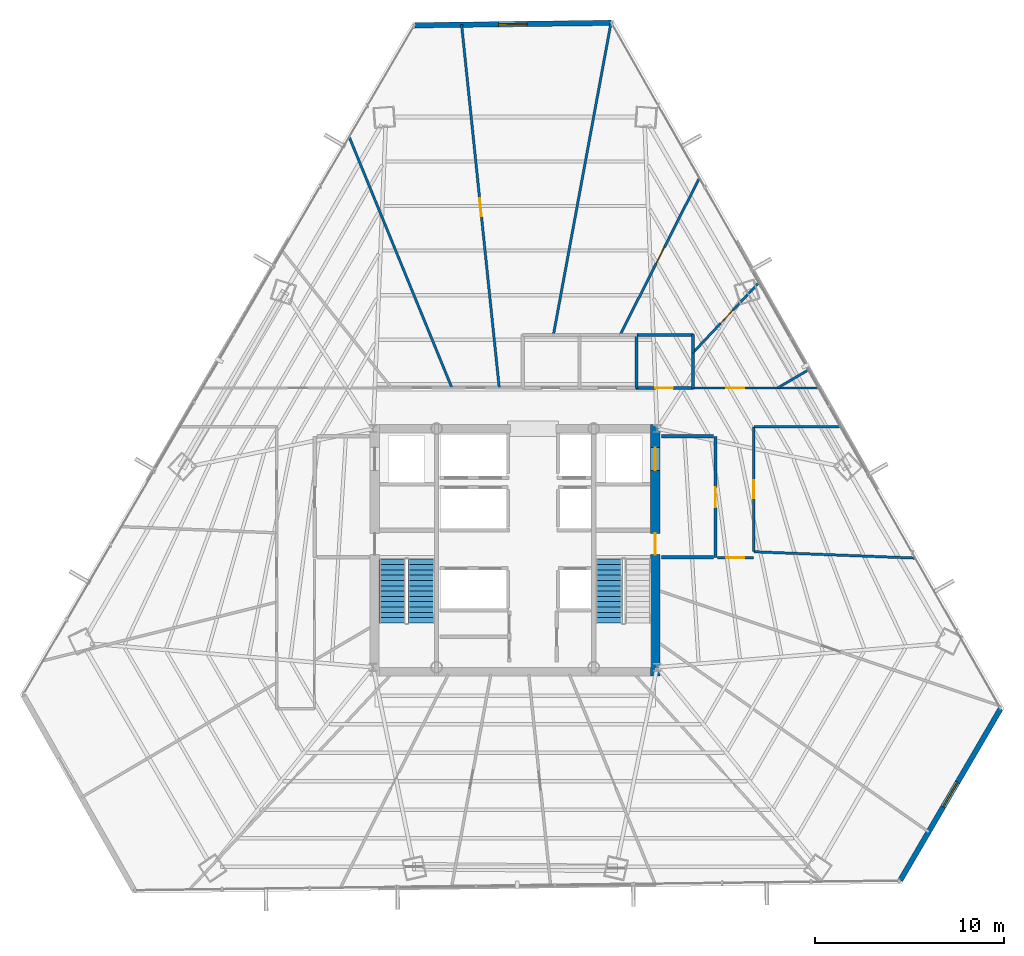
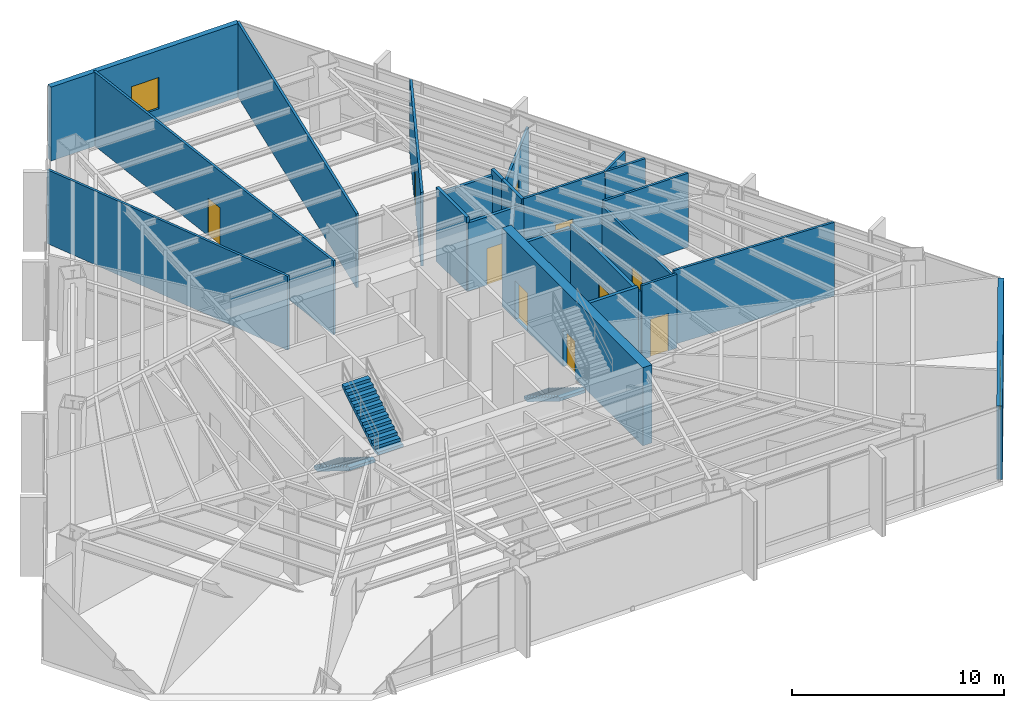
# One storey, part 33 of 37: 23 walls, 10 doors, 3 stair flights, 2 windows, 12 openings, 2 elements without a shape of their own.
"""IFC4 building model written with IfcOpenShell, lengths in metres."""

from ifc_helpers import new_model, si_unit, direction, frame, frame_2d, origin, place, context, subcontext, project, spatial, polyline, rectangle, outline, extrude, material, layer, layer_set, type_object, element, fill, aggregate, save


model = new_model("IFC4")

# Units and contexts
model_context = context("Model", 3, precision=1e-05, world=origin(), true_north=direction((0.0, 1.0)))
body_context = subcontext(model_context, "Body", "Model", "MODEL_VIEW")
ifc_project = project(units=[si_unit("LENGTHUNIT", "METRE"), si_unit("AREAUNIT", "SQUARE_METRE"), si_unit("VOLUMEUNIT", "CUBIC_METRE"), si_unit("PLANEANGLEUNIT", "RADIAN"), si_unit("MASSUNIT", "GRAM", prefix="KILO")], contexts=[model_context])

# Site, building, storey
site_placement = place(None, origin())
site = spatial("IfcSite", under=ifc_project, at=site_placement, CompositionType="ELEMENT")
building_placement = place(site_placement, origin())
building = spatial("IfcBuilding", under=site, at=building_placement, Name="Caelisora Broadcast Tower", CompositionType="ELEMENT")
storey_placement = place(building_placement, frame((0.0, 0.0, 127.300048828125)))
storey = spatial("IfcBuildingStorey", under=building, at=storey_placement, Name="L33", CompositionType="ELEMENT", Elevation=127.300048828125)

# Wall, openings, doors
ifc_material_1 = material(Name="Concrete 50 MPa (AS 3600 S50)", Category="concrete")
ifc_layer_1 = layer(ifc_material_1, 0.5, Name="Concrete 50 MPa (AS 3600 S50)")
ifc_layer_set_1 = layer_set([ifc_layer_1], Name="Concrete 50 MPa (AS 3600 S50)")
wall_type_1 = type_object("IfcWallType", Name="CW2", PredefinedType="SHEAR", material=ifc_layer_set_1)
wall_1_placement = place(storey_placement, frame((45.409912109375, 16.949951171875, 0.0), z_axis=(0.0, 0.0, 1.0), x_axis=(0.0, 1.0, 0.0)))
wall_1 = element("IfcWall", 1, at=wall_1_placement, inside=storey, type_object=wall_type_1, Name="L33 core shear wall CW2", PredefinedType="SHEAR", context=body_context, shape_type="SweptSolid", body=[
    extrude(rectangle(XDim=13.275146484375, YDim=0.5, at=frame_2d((6.6376953125, 0.0))), origin(), (0.0, 0.0, 1.0), 4.5),
])
opening_1_placement = place(wall_1_placement, frame((6.39990234375, 0.0, 0.0)))
opening_1 = element("IfcOpeningElement", 2, at=opening_1_placement, cuts=wall_1, Name="Opening FD04", PredefinedType="OPENING", context=body_context, shape_type="SweptSolid", body=[
    extrude(rectangle(XDim=1.1201171875, YDim=2.14990234375, at=frame_2d((0.56005859375, 1.074951171875))), frame((0.0, 0.261962890625, 0.0), z_axis=(0.0, -1.0, 0.0), x_axis=(1.0, 0.0, 0.0)), (0.0, 0.0, 1.0), 0.52392578125),
])
opening_2_placement = place(wall_1_placement, frame((10.85009765625, 0.0, 0.0)))
opening_2 = element("IfcOpeningElement", 3, at=opening_2_placement, cuts=wall_1, Name="Opening LD04", PredefinedType="OPENING", context=body_context, shape_type="SweptSolid", body=[
    extrude(rectangle(XDim=1.199951171875, YDim=2.199951171875, at=frame_2d((0.60009765625, 1.10009765625))), frame((0.0, 0.261962890625, 0.0), z_axis=(0.0, -1.0, 0.0), x_axis=(1.0, 0.0, 0.0)), (0.0, 0.0, 1.0), 0.52392578125),
])
ifc_material_2 = material(Name="Pressurised Fire-Isolated Stair Door", Category="steel")
door_type_1 = type_object("IfcDoorType", Name="FD04", OperationType="NOTDEFINED", PredefinedType="DOOR", material=ifc_material_2)
door_1_placement = place(opening_1_placement, origin())
door_1 = element("IfcDoor", 4, at=door_1_placement, inside=storey, type_object=door_type_1, Name="L33 door FD04 (L33-DR-ST2)", OperationType="SINGLE_SWING_RIGHT", OverallHeight=2.14990234375, OverallWidth=1.1201171875, PredefinedType="DOOR", context=body_context, shape_type="SweptSolid", body=[
    extrude(rectangle(XDim=1.1201171875, YDim=2.14990234375, at=frame_2d((0.56005859375, 1.074951171875))), frame((0.0, 0.02490234375, 0.0), z_axis=(0.0, -1.0, 0.0), x_axis=(1.0, 0.0, 0.0)), (0.0, 0.0, 1.0), 0.050048828125),
])
fill(opening_1, door_1)
ifc_material_3 = material(Name="Emergency Firefighting Lift Sliding Landing Door", Category="steel")
door_type_2 = type_object("IfcDoorType", Name="LD04", OperationType="NOTDEFINED", PredefinedType="DOOR", material=ifc_material_3)
door_2_placement = place(opening_2_placement, origin())
door_2 = element("IfcDoor", 5, at=door_2_placement, inside=storey, type_object=door_type_2, Name="L33 door LD04 (L33-LD-FFL2)", OperationType="SLIDING_TO_RIGHT", OverallHeight=2.199951171875, OverallWidth=1.199951171875, PredefinedType="DOOR", context=body_context, shape_type="SweptSolid", body=[
    extrude(rectangle(XDim=1.199951171875, YDim=2.199951171875, at=frame_2d((0.60009765625, 1.10009765625))), frame((0.0, 0.02490234375, 0.0), z_axis=(0.0, -1.0, 0.0), x_axis=(1.0, 0.0, 0.0)), (0.0, 0.0, 1.0), 0.050048828125),
])
fill(opening_2, door_2)

# Wall, opening, window
ifc_material_4 = material(Name="Insulated Terracotta Spandrel Wall System", Category="masonry")
ifc_layer_2 = layer(ifc_material_4, 0.280029296875, Name="Insulated Terracotta Spandrel Wall System")
ifc_layer_set_2 = layer_set([ifc_layer_2], Name="Insulated Terracotta Spandrel Wall System")
wall_type_2 = type_object("IfcWallType", Name="EW1", PredefinedType="STANDARD", material=ifc_layer_set_2)
wall_2_placement = place(storey_placement, frame((63.630859375, 15.197998046875, 0.0), z_axis=(0.0, 0.0, 1.0), x_axis=(-0.504625285798, -0.863338474142, 0.0)))
wall_2 = element("IfcWall", 6, at=wall_2_placement, inside=storey, type_object=wall_type_2, Name="L33 exterior envelope wall EW1", PredefinedType="STANDARD", context=body_context, shape_type="SweptSolid", body=[
    extrude(rectangle(XDim=10.482666015625, YDim=0.280029296875, at=frame_2d((5.2412109375, 0.0))), origin(), (0.0, 0.0, 1.0), 4.25),
])
opening_3_placement = place(wall_2_placement, frame((4.489990234375, 0.0, 0.89990234375)))
opening_3 = element("IfcOpeningElement", 7, at=opening_3_placement, cuts=wall_2, Name="Opening W02", PredefinedType="OPENING", context=body_context, shape_type="SweptSolid", body=[
    extrude(rectangle(XDim=1.5, YDim=1.800048828125, at=frame_2d((0.75, 0.89990234375))), frame((0.0, 0.152099609375, 0.0), z_axis=(0.0, -1.0, 0.0), x_axis=(1.0, 0.0, 0.0)), (0.0, 0.0, 1.0), 0.303955078125),
])
ifc_material_5 = material(Name="Double Glazed Terracotta-Framed Vision Window", Category="glass")
window_type = type_object("IfcWindowType", Name="W02", PartitioningType="SINGLE_PANEL", PredefinedType="WINDOW", material=ifc_material_5)
window_1_placement = place(opening_3_placement, origin())
window_1 = element("IfcWindow", 8, at=window_1_placement, inside=storey, type_object=window_type, Name="L33 window W02 (L33-WN-CH0)", OverallHeight=1.800048828125, OverallWidth=1.5, PartitioningType="SINGLE_PANEL", PredefinedType="WINDOW", context=body_context, shape_type="SweptSolid", body=[
    extrude(rectangle(XDim=1.5, YDim=1.800048828125, at=frame_2d((0.75, 0.89990234375))), frame((0.0, 0.030029296875, 0.0), z_axis=(0.0, -1.0, 0.0), x_axis=(1.0, 0.0, 0.0)), (0.0, 0.0, 1.0), 0.06005859375),
])
fill(opening_3, window_1)

wall_3_placement = place(storey_placement, frame((32.7109375, 51.305419921875, 0.0), z_axis=(0.0, 0.0, 1.0), x_axis=(0.999920945235, 0.012573912703, 0.0)))
wall_3 = element("IfcWall", 9, at=wall_3_placement, inside=storey, type_object=wall_type_2, Name="L33 exterior envelope wall EW1", PredefinedType="STANDARD", context=body_context, shape_type="SweptSolid", body=[
    extrude(rectangle(XDim=10.348876953125, YDim=0.280029296875, at=frame_2d((5.17431640625, 0.0))), origin(), (0.0, 0.0, 1.0), 4.25),
])
opening_4_placement = place(wall_3_placement, frame((4.419921875, 0.0, 0.89990234375)))
opening_4 = element("IfcOpeningElement", 10, at=opening_4_placement, cuts=wall_3, Name="Opening W02", PredefinedType="OPENING", context=body_context, shape_type="SweptSolid", body=[
    extrude(rectangle(XDim=1.5, YDim=1.800048828125, at=frame_2d((0.75, 0.89990234375))), frame((0.0, 0.152099609375, 0.0), z_axis=(0.0, -1.0, 0.0), x_axis=(1.0, 0.0, 0.0)), (0.0, 0.0, 1.0), 0.303955078125),
])
window_2_placement = place(opening_4_placement, origin())
window_2 = element("IfcWindow", 11, at=window_2_placement, inside=storey, type_object=window_type, Name="L33 window W02 (L33-WN-CH8)", OverallHeight=1.800048828125, OverallWidth=1.5, PartitioningType="SINGLE_PANEL", PredefinedType="WINDOW", context=body_context, shape_type="SweptSolid", body=[
    extrude(rectangle(XDim=1.5, YDim=1.800048828125, at=frame_2d((0.75, 0.89990234375))), frame((0.0, 0.030029296875, 0.0), z_axis=(0.0, -1.0, 0.0), x_axis=(1.0, 0.0, 0.0)), (0.0, 0.0, 1.0), 0.06005859375),
])
fill(opening_4, window_2)

# Wall, opening, door
ifc_material_6 = material(Name="Fire-Rated Gypsum Shaft and Compartment Wall", Category="gypsum")
ifc_layer_3 = layer(ifc_material_6, 0.179931640625, Name="Fire-Rated Gypsum Shaft and Compartment Wall")
ifc_layer_set_3 = layer_set([ifc_layer_3], Name="Fire-Rated Gypsum Shaft and Compartment Wall")
wall_type_3 = type_object("IfcWallType", Name="PW2", PredefinedType="PARTITIONING", material=ifc_layer_set_3)
wall_4_placement = place(storey_placement, frame((48.580078125, 23.199951171875, 0.0), z_axis=(0.0, 0.0, 1.0), x_axis=(0.0, 1.0, 0.0)))
wall_4 = element("IfcWall", 12, at=wall_4_placement, inside=storey, type_object=wall_type_3, Name="L33 fire compartment wall PW2", PredefinedType="PARTITIONING", context=body_context, shape_type="SweptSolid", body=[
    extrude(rectangle(XDim=6.400146484375, YDim=0.179931640625, at=frame_2d((3.2001953125, 0.0))), origin(), (0.0, 0.0, 1.0), 3.927734375),
])
opening_5_placement = place(wall_4_placement, frame((2.64990234375, 0.0, 0.0)))
opening_5 = element("IfcOpeningElement", 13, at=opening_5_placement, cuts=wall_4, Name="Opening FD02", PredefinedType="OPENING", context=body_context, shape_type="SweptSolid", body=[
    extrude(rectangle(XDim=1.050048828125, YDim=2.14990234375, at=frame_2d((0.52490234375, 1.074951171875))), frame((0.0, 0.10205078125, 0.0), z_axis=(0.0, -1.0, 0.0), x_axis=(1.0, 0.0, 0.0)), (0.0, 0.0, 1.0), 0.203857421875),
])
ifc_material_7 = material(Name="Single-Leaf Steel Fire Lobby Door", Category="steel")
door_type_3 = type_object("IfcDoorType", Name="FD02", OperationType="NOTDEFINED", PredefinedType="DOOR", material=ifc_material_7)
door_3_placement = place(opening_5_placement, origin())
door_3 = element("IfcDoor", 14, at=door_3_placement, inside=storey, type_object=door_type_3, Name="L33 door FD02 (L33-DR-P04D1)", OperationType="SINGLE_SWING_RIGHT", OverallHeight=2.14990234375, OverallWidth=1.050048828125, PredefinedType="DOOR", context=body_context, shape_type="SweptSolid", body=[
    extrude(rectangle(XDim=1.050048828125, YDim=2.14990234375, at=frame_2d((0.52490234375, 1.074951171875))), frame((0.0, 0.02490234375, 0.0), z_axis=(0.0, -1.0, 0.0), x_axis=(1.0, 0.0, 0.0)), (0.0, 0.0, 1.0), 0.050048828125),
])
fill(opening_5, door_3)

# Walls
wall_5_placement = place(storey_placement, frame((45.719970703125, 23.199951171875, 0.0), z_axis=(0.0, 0.0, 1.0), x_axis=(1.0, 0.0, 0.0)))
element("IfcWall", 15, at=wall_5_placement, inside=storey, type_object=wall_type_3, Name="L33 fire compartment wall PW2", PredefinedType="PARTITIONING", context=body_context, shape_type="SweptSolid", body=[
    extrude(rectangle(XDim=2.760009765625, YDim=0.179931640625, at=frame_2d((1.3798828125, 0.0))), origin(), (0.0, 0.0, 1.0), 4.25),
])
wall_6_placement = place(storey_placement, frame((45.719970703125, 29.60009765625, 0.0), z_axis=(0.0, 0.0, 1.0), x_axis=(1.0, 0.0, 0.0)))
element("IfcWall", 16, at=wall_6_placement, inside=storey, type_object=wall_type_3, Name="L33 fire compartment wall PW2", PredefinedType="PARTITIONING", context=body_context, shape_type="SweptSolid", body=[
    extrude(rectangle(XDim=2.760009765625, YDim=0.179931640625, at=frame_2d((1.3798828125, 0.0))), origin(), (0.0, 0.0, 1.0), 3.774658203125),
])

# Wall, opening, door
ifc_material_8 = material(Name="Acoustic Steel-Stud Plasterboard Partition", Category="gypsum")
ifc_layer_4 = layer(ifc_material_8, 0.1298828125, Name="Acoustic Steel-Stud Plasterboard Partition")
ifc_layer_set_4 = layer_set([ifc_layer_4], Name="Acoustic Steel-Stud Plasterboard Partition")
wall_type_4 = type_object("IfcWallType", Name="PW3", PredefinedType="PARTITIONING", material=ifc_layer_set_4)
wall_7_placement = place(storey_placement, frame((35.170166015625, 51.34130859375, 0.0), z_axis=(0.0, 0.0, 1.0), x_axis=(0.103103402085, -0.994670643217, 0.0)))
wall_7 = element("IfcWall", 17, at=wall_7_placement, inside=storey, type_object=wall_type_4, Name="L33 internal partition PW3", PredefinedType="PARTITIONING", context=body_context, shape_type="SweptSolid", body=[
    extrude(rectangle(XDim=19.2890625, YDim=0.1298828125, at=frame_2d((9.64453125, 0.0))), origin(), (0.0, 0.0, 1.0), 4.25),
])
opening_6_placement = place(wall_7_placement, frame((9.214111328125, 0.0, 0.0)))
opening_6 = element("IfcOpeningElement", 18, at=opening_6_placement, cuts=wall_7, Name="Opening D01", PredefinedType="OPENING", context=body_context, shape_type="SweptSolid", body=[
    extrude(rectangle(XDim=0.9599609375, YDim=2.14990234375, at=frame_2d((0.47998046875, 1.074951171875))), frame((0.0, 0.076904296875, 0.0), z_axis=(0.0, -1.0, 0.0), x_axis=(1.0, 0.0, 0.0)), (0.0, 0.0, 1.0), 0.15380859375),
])
ifc_material_9 = material(Name="Solid-Core Timber Acoustic Office Door", Category="wood")
door_type_4 = type_object("IfcDoorType", Name="D01", OperationType="NOTDEFINED", PredefinedType="DOOR", material=ifc_material_9)
door_4_placement = place(opening_6_placement, origin())
door_4 = element("IfcDoor", 19, at=door_4_placement, inside=storey, type_object=door_type_4, Name="L33 door D01 (L33-DR-P27D1)", OperationType="SINGLE_SWING_LEFT", OverallHeight=2.14990234375, OverallWidth=0.9599609375, PredefinedType="DOOR", context=body_context, shape_type="SweptSolid", body=[
    extrude(rectangle(XDim=0.9599609375, YDim=2.14990234375, at=frame_2d((0.47998046875, 1.074951171875))), frame((0.0, 0.02490234375, 0.0), z_axis=(0.0, -1.0, 0.0), x_axis=(1.0, 0.0, 0.0)), (0.0, 0.0, 1.0), 0.050048828125),
])
fill(opening_6, door_4)

# Walls
wall_8_placement = place(storey_placement, frame((40.02099609375, 34.955078125, 0.0), z_axis=(0.0, 0.0, 1.0), x_axis=(0.181390390279, 0.983411168492, 0.0)))
element("IfcWall", 20, at=wall_8_placement, inside=storey, type_object=wall_type_4, Name="L33 internal partition PW3", PredefinedType="PARTITIONING", context=body_context, shape_type="SweptSolid", body=[
    extrude(rectangle(XDim=16.763671875, YDim=0.1298828125, at=frame_2d((8.3818359375, 0.0))), origin(), (0.0, 0.0, 1.0), 4.25),
])
wall_9_placement = place(storey_placement, frame((29.23291015625, 45.414794921875, 0.0), z_axis=(0.0, 0.0, 1.0), x_axis=(0.378668676837, -0.925532297212, 0.0)))
element("IfcWall", 21, at=wall_9_placement, inside=storey, type_object=wall_type_4, Name="L33 internal partition PW3", PredefinedType="PARTITIONING", context=body_context, shape_type="SweptSolid", body=[
    extrude(rectangle(XDim=14.32666015625, YDim=0.1298828125, at=frame_2d((7.163330078125, 0.0))), origin(), (0.0, 0.0, 1.0), 4.25),
])

# Wall, opening, door
wall_10_placement = place(storey_placement, frame((43.5419921875, 34.9541015625, 0.0), z_axis=(0.0, 0.0, 1.0), x_axis=(0.451040991856, 0.89250323454, 0.0)))
wall_10 = element("IfcWall", 22, at=wall_10_placement, inside=storey, type_object=wall_type_4, Name="L33 internal partition PW3", PredefinedType="PARTITIONING", context=body_context, shape_type="SweptSolid", body=[
    extrude(rectangle(XDim=9.302978515625, YDim=0.1298828125, at=frame_2d((4.6513671875, 0.0))), origin(), (0.0, 0.0, 1.0), 4.25),
])
opening_7_placement = place(wall_10_placement, frame((4.22900390625, 0.0, 0.0)))
opening_7 = element("IfcOpeningElement", 23, at=opening_7_placement, cuts=wall_10, Name="Opening D01", PredefinedType="OPENING", context=body_context, shape_type="SweptSolid", body=[
    extrude(rectangle(XDim=0.9599609375, YDim=2.14990234375, at=frame_2d((0.47998046875, 1.074951171875))), frame((0.0, 0.076904296875, 0.0), z_axis=(0.0, -1.0, 0.0), x_axis=(1.0, 0.0, 0.0)), (0.0, 0.0, 1.0), 0.15380859375),
])
door_5_placement = place(opening_7_placement, origin())
door_5 = element("IfcDoor", 24, at=door_5_placement, inside=storey, type_object=door_type_4, Name="L33 door D01 (L33-DR-P42D1)", OperationType="SINGLE_SWING_RIGHT", OverallHeight=2.14990234375, OverallWidth=0.9599609375, PredefinedType="DOOR", context=body_context, shape_type="SweptSolid", body=[
    extrude(rectangle(XDim=0.9599609375, YDim=2.14990234375, at=frame_2d((0.47998046875, 1.074951171875))), frame((0.0, 0.02490234375, 0.0), z_axis=(0.0, -1.0, 0.0), x_axis=(1.0, 0.0, 0.0)), (0.0, 0.0, 1.0), 0.050048828125),
])
fill(opening_7, door_5)

# Wall
wall_11_placement = place(storey_placement, frame((50.60498046875, 23.5, 0.0), z_axis=(0.0, 0.0, 1.0), x_axis=(0.999229272457, -0.03925380319, 0.0)))
element("IfcWall", 25, at=wall_11_placement, inside=storey, type_object=wall_type_4, Name="L33 internal partition PW3", PredefinedType="PARTITIONING", context=body_context, shape_type="SweptSolid", body=[
    extrude(rectangle(XDim=8.545654296875, YDim=0.1298828125, at=frame_2d((4.27294921875, 0.0))), origin(), (0.0, 0.0, 1.0), 4.25),
])

# Wall, opening, door
wall_12_placement = place(storey_placement, frame((50.60009765625, 23.5048828125, 0.0), z_axis=(0.0, 0.0, 1.0), x_axis=(0.0, 1.0, 0.0)))
wall_12 = element("IfcWall", 26, at=wall_12_placement, inside=storey, type_object=wall_type_4, Name="L33 internal partition PW3", PredefinedType="PARTITIONING", context=body_context, shape_type="SweptSolid", body=[
    extrude(rectangle(XDim=6.590087890625, YDim=0.1298828125, at=frame_2d((3.294921875, 0.0))), origin(), (0.0, 0.0, 1.0), 3.927734375),
])
opening_8_placement = place(wall_12_placement, frame((2.81494140625, 0.0, 0.0)))
opening_8 = element("IfcOpeningElement", 27, at=opening_8_placement, cuts=wall_12, Name="Opening D01", PredefinedType="OPENING", context=body_context, shape_type="SweptSolid", body=[
    extrude(rectangle(XDim=0.9599609375, YDim=2.14990234375, at=frame_2d((0.47998046875, 1.074951171875))), frame((0.0, 0.076904296875, 0.0), z_axis=(0.0, -1.0, 0.0), x_axis=(1.0, 0.0, 0.0)), (0.0, 0.0, 1.0), 0.15380859375),
])
door_6_placement = place(opening_8_placement, origin())
door_6 = element("IfcDoor", 28, at=door_6_placement, inside=storey, type_object=door_type_4, Name="L33 door D01 (L33-DR-P47D1)", OperationType="SINGLE_SWING_LEFT", OverallHeight=2.14990234375, OverallWidth=0.9599609375, PredefinedType="DOOR", context=body_context, shape_type="SweptSolid", body=[
    extrude(rectangle(XDim=0.9599609375, YDim=2.14990234375, at=frame_2d((0.47998046875, 1.074951171875))), frame((0.0, 0.02490234375, 0.0), z_axis=(0.0, -1.0, 0.0), x_axis=(1.0, 0.0, 0.0)), (0.0, 0.0, 1.0), 0.050048828125),
])
fill(opening_8, door_6)

wall_13_placement = place(storey_placement, frame((47.403076171875, 34.02392578125, 0.0), z_axis=(0.0, 0.0, 1.0), x_axis=(0.684663849491, 0.728858980325, 0.0)))
wall_13 = element("IfcWall", 29, at=wall_13_placement, inside=storey, type_object=wall_type_4, Name="L33 internal partition PW3", PredefinedType="PARTITIONING", context=body_context, shape_type="SweptSolid", body=[
    extrude(rectangle(XDim=5.07666015625, YDim=0.1298828125, at=frame_2d((2.538330078125, 0.0))), origin(), (0.0, 0.0, 1.0), 3.774658203125),
])
opening_9_placement = place(wall_13_placement, frame((2.110107421875, 0.0, 0.0)))
opening_9 = element("IfcOpeningElement", 30, at=opening_9_placement, cuts=wall_13, Name="Opening D01", PredefinedType="OPENING", context=body_context, shape_type="SweptSolid", body=[
    extrude(rectangle(XDim=0.9599609375, YDim=2.14990234375, at=frame_2d((0.47998046875, 1.074951171875))), frame((0.0, 0.076904296875, 0.0), z_axis=(0.0, -1.0, 0.0), x_axis=(1.0, 0.0, 0.0)), (0.0, 0.0, 1.0), 0.15380859375),
])
door_7_placement = place(opening_9_placement, origin())
door_7 = element("IfcDoor", 31, at=door_7_placement, inside=storey, type_object=door_type_4, Name="L33 door D01 (L33-DR-P51D1)", OperationType="SINGLE_SWING_RIGHT", OverallHeight=2.14990234375, OverallWidth=0.9599609375, PredefinedType="DOOR", context=body_context, shape_type="SweptSolid", body=[
    extrude(rectangle(XDim=0.9599609375, YDim=2.14990234375, at=frame_2d((0.47998046875, 1.074951171875))), frame((0.0, 0.02490234375, 0.0), z_axis=(0.0, -1.0, 0.0), x_axis=(1.0, 0.0, 0.0)), (0.0, 0.0, 1.0), 0.050048828125),
])
fill(opening_9, door_7)

# Wall
wall_14_placement = place(storey_placement, frame((50.60498046875, 30.10009765625, 0.0), z_axis=(0.0, 0.0, 1.0), x_axis=(1.0, 0.0, 0.0)))
element("IfcWall", 32, at=wall_14_placement, inside=storey, type_object=wall_type_4, Name="L33 internal partition PW3", PredefinedType="PARTITIONING", context=body_context, shape_type="SweptSolid", body=[
    extrude(rectangle(XDim=4.601806640625, YDim=0.1298828125, at=frame_2d((2.30078125, 0.0))), origin(), (0.0, 0.0, 1.0), 4.25),
])

# Wall, opening, door
wall_15_placement = place(storey_placement, frame((47.405029296875, 32.14990234375, 0.0), z_axis=(0.0, 0.0, 1.0), x_axis=(1.0, 0.0, 0.0)))
wall_15 = element("IfcWall", 33, at=wall_15_placement, inside=storey, type_object=wall_type_4, Name="L33 internal partition PW3", PredefinedType="PARTITIONING", context=body_context, shape_type="SweptSolid", body=[
    extrude(rectangle(XDim=4.449951171875, YDim=0.1298828125, at=frame_2d((2.22509765625, 0.0))), origin(), (0.0, 0.0, 1.0), 4.25),
])
opening_10_placement = place(wall_15_placement, frame((1.7451171875, 0.0, 0.0)))
opening_10 = element("IfcOpeningElement", 34, at=opening_10_placement, cuts=wall_15, Name="Opening D01", PredefinedType="OPENING", context=body_context, shape_type="SweptSolid", body=[
    extrude(rectangle(XDim=0.9599609375, YDim=2.14990234375, at=frame_2d((0.47998046875, 1.074951171875))), frame((0.0, 0.076904296875, 0.0), z_axis=(0.0, -1.0, 0.0), x_axis=(1.0, 0.0, 0.0)), (0.0, 0.0, 1.0), 0.15380859375),
])
door_8_placement = place(opening_10_placement, origin())
door_8 = element("IfcDoor", 35, at=door_8_placement, inside=storey, type_object=door_type_4, Name="L33 door D01 (L33-DR-P53D1)", OperationType="SINGLE_SWING_LEFT", OverallHeight=2.14990234375, OverallWidth=0.9599609375, PredefinedType="DOOR", context=body_context, shape_type="SweptSolid", body=[
    extrude(rectangle(XDim=0.9599609375, YDim=2.14990234375, at=frame_2d((0.47998046875, 1.074951171875))), frame((0.0, 0.02490234375, 0.0), z_axis=(0.0, -1.0, 0.0), x_axis=(1.0, 0.0, 0.0)), (0.0, 0.0, 1.0), 0.050048828125),
])
fill(opening_10, door_8)

# Wall
wall_16_placement = place(storey_placement, frame((51.864990234375, 32.14990234375, 0.0), z_axis=(0.0, 0.0, 1.0), x_axis=(1.0, 0.0, 0.0)))
element("IfcWall", 36, at=wall_16_placement, inside=storey, type_object=wall_type_4, Name="L33 internal partition PW3", PredefinedType="PARTITIONING", context=body_context, shape_type="SweptSolid", body=[
    extrude(rectangle(XDim=2.17822265625, YDim=0.1298828125, at=frame_2d((1.089111328125, 0.0))), origin(), (0.0, 0.0, 1.0), 4.25),
])

# Wall, opening, door
wall_17_placement = place(storey_placement, frame((48.675048828125, 23.179931640625, 0.0), z_axis=(0.0, 0.0, 1.0), x_axis=(1.0, 0.0, 0.0)))
wall_17 = element("IfcWall", 37, at=wall_17_placement, inside=storey, type_object=wall_type_4, Name="L33 internal partition PW3", PredefinedType="PARTITIONING", context=body_context, shape_type="SweptSolid", body=[
    extrude(rectangle(XDim=1.905029296875, YDim=0.1298828125, at=frame_2d((0.95263671875, 0.0))), origin(), (0.0, 0.0, 1.0), 4.25),
])
opening_11_placement = place(wall_17_placement, frame((0.472900390625, 0.0, 0.0)))
opening_11 = element("IfcOpeningElement", 38, at=opening_11_placement, cuts=wall_17, Name="Opening D01", PredefinedType="OPENING", context=body_context, shape_type="SweptSolid", body=[
    extrude(rectangle(XDim=0.9599609375, YDim=2.14990234375, at=frame_2d((0.47998046875, 1.074951171875))), frame((0.0, 0.076904296875, 0.0), z_axis=(0.0, -1.0, 0.0), x_axis=(1.0, 0.0, 0.0)), (0.0, 0.0, 1.0), 0.15380859375),
])
door_9_placement = place(opening_11_placement, origin())
door_9 = element("IfcDoor", 39, at=door_9_placement, inside=storey, type_object=door_type_4, Name="L33 door D01 (L33-DR-P61D1)", OperationType="SINGLE_SWING_LEFT", OverallHeight=2.14990234375, OverallWidth=0.9599609375, PredefinedType="DOOR", context=body_context, shape_type="SweptSolid", body=[
    extrude(rectangle(XDim=0.9599609375, YDim=2.14990234375, at=frame_2d((0.47998046875, 1.074951171875))), frame((0.0, 0.02490234375, 0.0), z_axis=(0.0, -1.0, 0.0), x_axis=(1.0, 0.0, 0.0)), (0.0, 0.0, 1.0), 0.050048828125),
])
fill(opening_11, door_9)

# Wall
wall_18_placement = place(storey_placement, frame((51.864013671875, 32.153076171875, 0.0), z_axis=(0.0, 0.0, 1.0), x_axis=(0.862457378859, 0.506129696473, 0.0)))
element("IfcWall", 40, at=wall_18_placement, inside=storey, type_object=wall_type_4, Name="L33 internal partition PW3", PredefinedType="PARTITIONING", context=body_context, shape_type="SweptSolid", body=[
    extrude(rectangle(XDim=1.893798828125, YDim=0.1298828125, at=frame_2d((0.94677734375, 0.0))), origin(), (0.0, 0.0, 1.0), 4.25),
])

# Wall, opening, door
ifc_material_10 = material(Name="Moisture-Resistant Wet Plumbing Service Wall", Category="gypsum")
ifc_layer_5 = layer(ifc_material_10, 0.159912109375, Name="Moisture-Resistant Wet Plumbing Service Wall")
ifc_layer_set_5 = layer_set([ifc_layer_5], Name="Moisture-Resistant Wet Plumbing Service Wall")
wall_type_5 = type_object("IfcWallType", Name="PW4", PredefinedType="PLUMBINGWALL", material=ifc_layer_set_5)
wall_19_placement = place(storey_placement, frame((44.375, 32.14990234375, 0.0), z_axis=(0.0, 0.0, 1.0), x_axis=(1.0, 0.0, 0.0)))
wall_19 = element("IfcWall", 41, at=wall_19_placement, inside=storey, type_object=wall_type_5, Name="L33 wet plumbing wall PW4", PredefinedType="PLUMBINGWALL", context=body_context, shape_type="SweptSolid", body=[
    extrude(rectangle(XDim=3.050048828125, YDim=0.159912109375, at=frame_2d((1.52490234375, 0.0))), origin(), (0.0, 0.0, 1.0), 3.927734375),
])
opening_12_placement = place(wall_19_placement, frame((1.034912109375, 0.0, 0.0)))
opening_12 = element("IfcOpeningElement", 42, at=opening_12_placement, cuts=wall_19, Name="Opening D03", PredefinedType="OPENING", context=body_context, shape_type="SweptSolid", body=[
    extrude(rectangle(XDim=0.919921875, YDim=2.10009765625, at=frame_2d((0.4599609375, 1.050048828125))), frame((0.0, 0.092041015625, 0.0), z_axis=(0.0, -1.0, 0.0), x_axis=(1.0, 0.0, 0.0)), (0.0, 0.0, 1.0), 0.183837890625),
])
ifc_material_11 = material(Name="Laminate Moisture-Resistant Amenity WC Door", Category="wood")
door_type_5 = type_object("IfcDoorType", Name="D03", OperationType="NOTDEFINED", PredefinedType="DOOR", material=ifc_material_11)
door_10_placement = place(opening_12_placement, origin())
door_10 = element("IfcDoor", 43, at=door_10_placement, inside=storey, type_object=door_type_5, Name="L33 door D03 (L33-DR-P16D1)", OperationType="SINGLE_SWING_RIGHT", OverallHeight=2.10009765625, OverallWidth=0.919921875, PredefinedType="DOOR", context=body_context, shape_type="SweptSolid", body=[
    extrude(rectangle(XDim=0.919921875, YDim=2.10009765625, at=frame_2d((0.4599609375, 1.050048828125))), frame((0.0, 0.02490234375, 0.0), z_axis=(0.0, -1.0, 0.0), x_axis=(1.0, 0.0, 0.0)), (0.0, 0.0, 1.0), 0.050048828125),
])
fill(opening_12, door_10)

# Walls
wall_20_placement = place(storey_placement, frame((47.425048828125, 34.949951171875, 0.0), z_axis=(0.0, 0.0, 1.0), x_axis=(-1.0, 0.0, 0.0)))
element("IfcWall", 44, at=wall_20_placement, inside=storey, type_object=wall_type_5, Name="L33 wet plumbing wall PW4", PredefinedType="PLUMBINGWALL", context=body_context, shape_type="SweptSolid", body=[
    extrude(rectangle(XDim=3.050048828125, YDim=0.159912109375, at=frame_2d((1.52490234375, 0.0))), origin(), (0.0, 0.0, 1.0), 3.927734375),
])
wall_21_placement = place(storey_placement, frame((44.39990234375, 32.125, 0.0), z_axis=(0.0, 0.0, 1.0), x_axis=(0.0, 1.0, 0.0)))
element("IfcWall", 45, at=wall_21_placement, inside=storey, type_object=wall_type_5, Name="L33 wet plumbing wall PW4", PredefinedType="PLUMBINGWALL", context=body_context, shape_type="SweptSolid", body=[
    extrude(rectangle(XDim=2.85009765625, YDim=0.159912109375, at=frame_2d((1.425048828125, 0.0))), origin(), (0.0, 0.0, 1.0), 4.25),
])
wall_22_placement = place(storey_placement, frame((47.39990234375, 32.125, 0.0), z_axis=(0.0, 0.0, 1.0), x_axis=(0.0, 1.0, 0.0)))
element("IfcWall", 46, at=wall_22_placement, inside=storey, type_object=wall_type_5, Name="L33 wet plumbing wall PW4", PredefinedType="PLUMBINGWALL", context=body_context, shape_type="SweptSolid", body=[
    extrude(rectangle(XDim=1.919921875, YDim=0.159912109375, at=frame_2d((0.9599609375, 0.0))), origin(), (0.0, 0.0, 1.0), 4.25),
])
wall_23_placement = place(storey_placement, frame((47.39990234375, 33.9951171875, 0.0), z_axis=(0.0, 0.0, 1.0), x_axis=(0.0, 1.0, 0.0)))
element("IfcWall", 47, at=wall_23_placement, inside=storey, type_object=wall_type_5, Name="L33 wet plumbing wall PW4", PredefinedType="PLUMBINGWALL", context=body_context, shape_type="SweptSolid", body=[
    extrude(rectangle(XDim=0.97998046875, YDim=0.159912109375, at=frame_2d((0.489990234375, 0.0))), origin(), (0.0, 0.0, 1.0), 4.25),
])

# Stair, stair flights
ifc_material_12 = material(Name="Concrete 40 MPa (AS 3600 N40)", Category="concrete")
stair_type_1 = type_object("IfcStairType", Name="ST-1", PredefinedType="HALF_TURN_STAIR", material=ifc_material_12)
stair_1_placement = place(storey_placement, origin())
stair_1 = element("IfcStair", 48, at=stair_1_placement, inside=storey, type_object=stair_type_1, Name="L33 West Fire-Isolated Tower Stair", PredefinedType="HALF_TURN_STAIR")
stair_flight_type = type_object("IfcStairFlightType", Name="STF-2", PredefinedType="STRAIGHT", material=ifc_material_12)
stair_flight_1_placement = place(storey_placement, frame((31.52001953125, 23.10009765625, 0.0), z_axis=(0.0, 0.0, 1.0), x_axis=(0.0, -1.0, 0.0)))
stair_flight_1 = element("IfcStairFlight", 49, at=stair_flight_1_placement, type_object=stair_flight_type, Name="ST-1 flight 1", NumberOfRisers=13, NumberOfTreads=12, PredefinedType="STRAIGHT", RiserHeight=0.173076923, TreadLength=0.28, context=body_context, shape_type="SweptSolid", body=[
    extrude(outline(polyline([(0.0, 0.0), (0.0, 0.173095703125), (0.280029296875, 0.173095703125), (0.280029296875, 0.34619140625), (0.56005859375, 0.34619140625), (0.56005859375, 0.519287109375), (0.840087890625, 0.519287109375), (0.840087890625, 0.6923828125), (1.1201171875, 0.6923828125), (1.1201171875, 0.865478515625), (1.39990234375, 0.865478515625), (1.39990234375, 1.03857421875), (1.679931640625, 1.03857421875), (1.679931640625, 1.21142578125), (1.9599609375, 1.21142578125), (1.9599609375, 1.384521484375), (2.239990234375, 1.384521484375), (2.239990234375, 1.5576171875), (2.52001953125, 1.5576171875), (2.52001953125, 1.730712890625), (2.800048828125, 1.730712890625), (2.800048828125, 1.90380859375), (3.080078125, 1.90380859375), (3.080078125, 2.076904296875), (3.360107421875, 2.076904296875), (3.360107421875, 2.25), (3.360107421875, 1.900634765625), (0.28515625, 0.0), (0.0, 0.0)])), frame((0.0, 0.699951171875, 0.0), z_axis=(0.0, -1.0, 0.0), x_axis=(1.0, 0.0, 0.0)), (0.0, 0.0, 1.0), 1.39990234375),
])
stair_flight_2_placement = place(storey_placement, frame((33.0400390625, 19.739990234375, 2.25), z_axis=(0.0, 0.0, 1.0), x_axis=(0.0, 1.0, 0.0)))
stair_flight_2 = element("IfcStairFlight", 50, at=stair_flight_2_placement, type_object=stair_flight_type, Name="ST-1 flight 2", NumberOfRisers=13, NumberOfTreads=12, PredefinedType="STRAIGHT", RiserHeight=0.173076923, TreadLength=0.28, context=body_context, shape_type="SweptSolid", body=[
    extrude(outline(polyline([(0.0, 0.0), (0.0, 0.173095703125), (0.280029296875, 0.173095703125), (0.280029296875, 0.34619140625), (0.56005859375, 0.34619140625), (0.56005859375, 0.519287109375), (0.840087890625, 0.519287109375), (0.840087890625, 0.6923828125), (1.1201171875, 0.6923828125), (1.1201171875, 0.865478515625), (1.39990234375, 0.865478515625), (1.39990234375, 1.03857421875), (1.679931640625, 1.03857421875), (1.679931640625, 1.21142578125), (1.9599609375, 1.21142578125), (1.9599609375, 1.384521484375), (2.239990234375, 1.384521484375), (2.239990234375, 1.5576171875), (2.52001953125, 1.5576171875), (2.52001953125, 1.730712890625), (2.800048828125, 1.730712890625), (2.800048828125, 1.90380859375), (3.080078125, 1.90380859375), (3.080078125, 2.076904296875), (3.360107421875, 2.076904296875), (3.360107421875, 2.25), (3.360107421875, 1.900634765625), (0.28515625, 0.0), (0.0, 0.0)])), frame((0.0, 0.699951171875, 0.0), z_axis=(0.0, -1.0, 0.0), x_axis=(1.0, 0.0, 0.0)), (0.0, 0.0, 1.0), 1.39990234375),
])
aggregate(stair_1, [stair_flight_1, stair_flight_2])

# Stair, stair flight
stair_type_2 = type_object("IfcStairType", Name="ST-2", PredefinedType="HALF_TURN_STAIR", material=ifc_material_12)
stair_2_placement = place(storey_placement, origin())
stair_2 = element("IfcStair", 51, at=stair_2_placement, inside=storey, type_object=stair_type_2, Name="L33 East Fire-Isolated Tower Stair", PredefinedType="HALF_TURN_STAIR")
stair_flight_3_placement = place(storey_placement, frame((42.9599609375, 23.10009765625, 0.0), z_axis=(0.0, 0.0, 1.0), x_axis=(0.0, -1.0, 0.0)))
stair_flight_3 = element("IfcStairFlight", 52, at=stair_flight_3_placement, type_object=stair_flight_type, Name="ST-2 flight 1", NumberOfRisers=13, NumberOfTreads=12, PredefinedType="STRAIGHT", RiserHeight=0.173076923, TreadLength=0.28, context=body_context, shape_type="SweptSolid", body=[
    extrude(outline(polyline([(0.0, 0.0), (0.0, 0.173095703125), (0.280029296875, 0.173095703125), (0.280029296875, 0.34619140625), (0.56005859375, 0.34619140625), (0.56005859375, 0.519287109375), (0.840087890625, 0.519287109375), (0.840087890625, 0.6923828125), (1.1201171875, 0.6923828125), (1.1201171875, 0.865478515625), (1.39990234375, 0.865478515625), (1.39990234375, 1.03857421875), (1.679931640625, 1.03857421875), (1.679931640625, 1.21142578125), (1.9599609375, 1.21142578125), (1.9599609375, 1.384521484375), (2.239990234375, 1.384521484375), (2.239990234375, 1.5576171875), (2.52001953125, 1.5576171875), (2.52001953125, 1.730712890625), (2.800048828125, 1.730712890625), (2.800048828125, 1.90380859375), (3.080078125, 1.90380859375), (3.080078125, 2.076904296875), (3.360107421875, 2.076904296875), (3.360107421875, 2.25), (3.360107421875, 1.900634765625), (0.28515625, 0.0), (0.0, 0.0)])), frame((0.0, 0.699951171875, 0.0), z_axis=(0.0, -1.0, 0.0), x_axis=(1.0, 0.0, 0.0)), (0.0, 0.0, 1.0), 1.39990234375),
])
aggregate(stair_2, [stair_flight_3])

save(model, "model.ifc")
